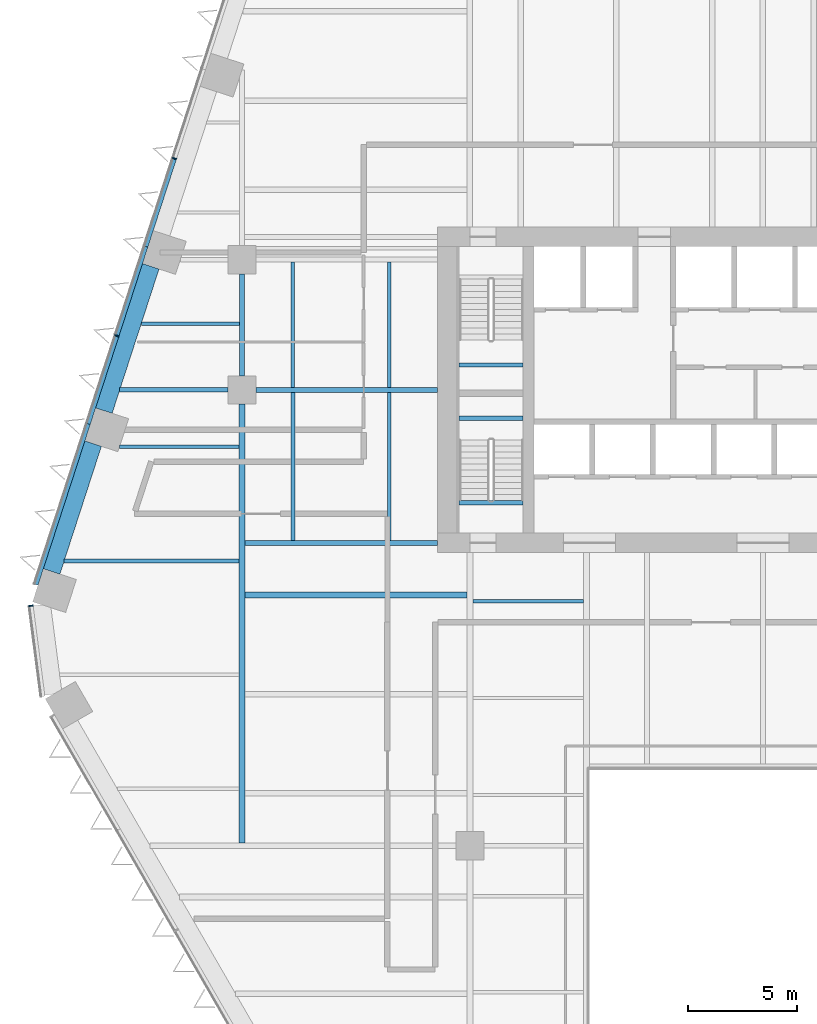
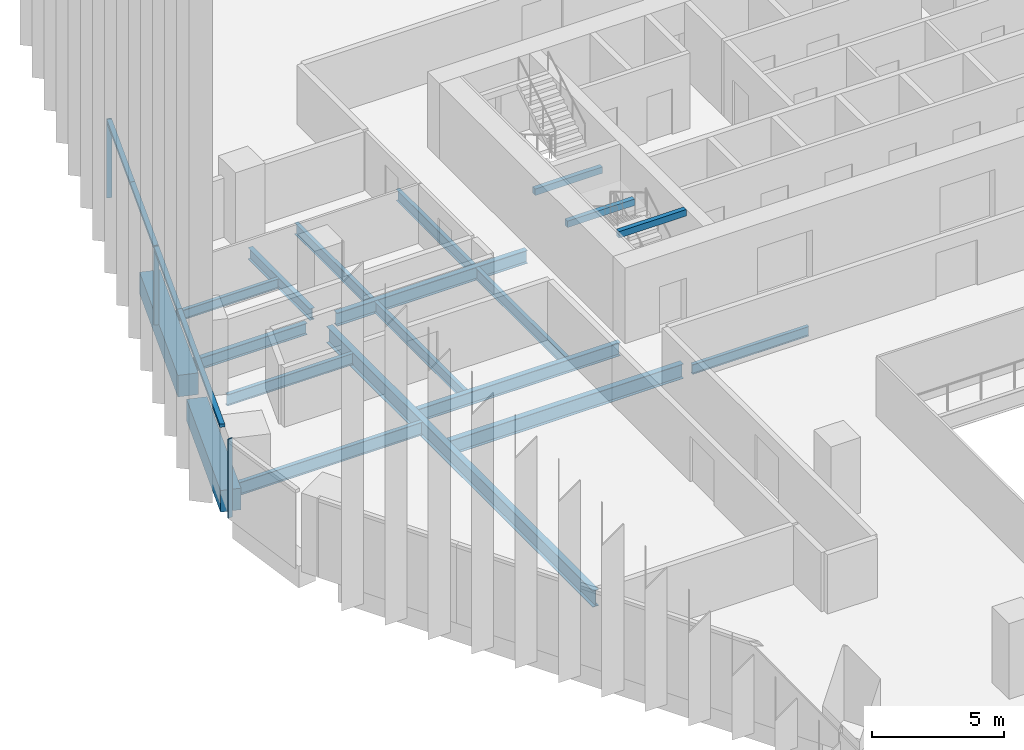
# One storey, part 8 of 24: 19 beams, 7 members, 2 elements without a shape of their own.
"""IFC4 building model written with IfcOpenShell, lengths in metres."""

from ifc_helpers import new_model, si_unit, direction, frame, origin, origin_2d, place, context, subcontext, project, spatial, rectangle, i_section, extrude, material, layer, layer_set, material_profile, profile_set, type_object, element, aggregate, save


model = new_model("IFC4")

# Units and contexts
model_context = context("Model", 3, precision=1e-05, world=origin(), true_north=direction((0.0, 1.0)))
body_context = subcontext(model_context, "Body", "Model", "MODEL_VIEW")
ifc_project = project(units=[si_unit("LENGTHUNIT", "METRE"), si_unit("AREAUNIT", "SQUARE_METRE"), si_unit("VOLUMEUNIT", "CUBIC_METRE"), si_unit("PLANEANGLEUNIT", "RADIAN"), si_unit("MASSUNIT", "GRAM", prefix="KILO")], contexts=[model_context])

# Site, building, storey
site_placement = place(None, origin())
site = spatial("IfcSite", under=ifc_project, at=site_placement, CompositionType="ELEMENT")
building_placement = place(site_placement, origin())
building = spatial("IfcBuilding", under=site, at=building_placement, Name="Isthmus Gate Tower", CompositionType="ELEMENT")
storey_placement = place(building_placement, frame((0.0, 0.0, 80.64990234375)))
storey = spatial("IfcBuildingStorey", under=building, at=storey_placement, Name="L18", CompositionType="ELEMENT", Elevation=80.64990234375)

# Curtain wall, members
ifc_material_1 = material(Name="Aluminium, pale champagne anodised", Category="aluminium")
ifc_layer = layer(ifc_material_1, 0.199951171875)
ifc_layer_set = layer_set([ifc_layer], Name="CW-1 UNITISED CURTAIN WALL 200 DEEP")
curtain_wall_type = type_object("IfcCurtainWallType", Name="CW-1 UNITISED CURTAIN WALL 200 DEEP", PredefinedType="NOTDEFINED", material=ifc_layer_set)
curtain_wall_1_placement = place(storey_placement, origin())
curtain_wall_1 = element("IfcCurtainWall", 1, at=curtain_wall_1_placement, inside=storey, type_object=curtain_wall_type, Name="CW-1 NW L18", PredefinedType="NOTDEFINED")
ifc_material_2 = material(Name="Aluminium, pale champagne anodised", Category="aluminium")
ifc_material_profile_1 = material_profile(ifc_material_2, rectangle(XDim=0.06005859375, YDim=0.199951171875, at=origin_2d()), Name="60x200")
ifc_profile_set_1 = profile_set([ifc_material_profile_1], Name="Aluminium, pale champagne anodised")
member_type_1 = type_object("IfcMemberType", Name="CW-1 MULLION 60 X 200", PredefinedType="MULLION", material=ifc_profile_set_1)
member_1_placement = place(storey_placement, frame((-27.11474609375, 18.163818359375, 0.0), z_axis=(0.0, 0.0, 1.0), x_axis=(-0.309016994375, -0.951056516295, 0.0)))
member_1 = element("IfcMember", 2, at=member_1_placement, type_object=member_type_1, Name="CW-1 mullion", PredefinedType="MULLION", context=body_context, shape_type="SweptSolid", body=[
    extrude(rectangle(XDim=0.06005859375, YDim=0.199951171875, at=origin_2d()), origin(), (0.0, 0.0, 1.0), 3.650146484375),
])
member_2_placement = place(storey_placement, frame((-29.76904296875, 9.994873046875, 0.0), z_axis=(0.0, 0.0, 1.0), x_axis=(-0.309016994375, -0.951056516295, 0.0)))
member_2 = element("IfcMember", 3, at=member_2_placement, type_object=member_type_1, Name="CW-1 mullion", PredefinedType="MULLION", context=body_context, shape_type="SweptSolid", body=[
    extrude(rectangle(XDim=0.06005859375, YDim=0.199951171875, at=origin_2d()), origin(), (0.0, 0.0, 1.0), 3.650146484375),
])

# Curtain wall, member
curtain_wall_2_placement = place(storey_placement, origin())
curtain_wall_2 = element("IfcCurtainWall", 4, at=curtain_wall_2_placement, inside=storey, type_object=curtain_wall_type, Name="CW-1 NW-SW L18", PredefinedType="NOTDEFINED")
member_3_placement = place(storey_placement, frame((-33.722900390625, -2.44482421875, 0.0), z_axis=(0.0, 0.0, 1.0), x_axis=(0.129164534, -0.991623175988, 0.0)))
member_3 = element("IfcMember", 5, at=member_3_placement, type_object=member_type_1, Name="CW-1 mullion", PredefinedType="MULLION", context=body_context, shape_type="SweptSolid", body=[
    extrude(rectangle(XDim=0.06005859375, YDim=0.199951171875, at=origin_2d()), origin(), (0.0, 0.0, 1.0), 3.650146484375),
])
aggregate(curtain_wall_2, [member_3])

# Member
ifc_material_3 = material(Name="Aluminium, pale champagne anodised", Category="aluminium")
ifc_material_profile_2 = material_profile(ifc_material_3, rectangle(XDim=0.199951171875, YDim=0.14990234375, at=origin_2d()), Name="200x150")
ifc_profile_set_2 = profile_set([ifc_material_profile_2], Name="Aluminium, pale champagne anodised")
member_type_2 = type_object("IfcMemberType", Name="CW-1 TRANSOM 200 X 150", PredefinedType="USERDEFINED", material=ifc_profile_set_2)
member_4_placement = place(storey_placement, frame((-27.1240234375, 18.13525390625, 3.5751953125), z_axis=(-0.309023496777, -0.951054403512, 0.0), x_axis=(0.951054403512, -0.309023496777, 0.0)))
member_4 = element("IfcMember", 6, at=member_4_placement, type_object=member_type_2, Name="CW-1 transom", ObjectType="TRANSOM", PredefinedType="USERDEFINED", context=body_context, shape_type="SweptSolid", body=[
    extrude(rectangle(XDim=0.199951171875, YDim=0.14990234375, at=origin_2d()), origin(), (0.0, 0.0, 1.0), 4.234619140625),
])

member_5_placement = place(storey_placement, frame((-28.4326171875, 14.10791015625, 3.5751953125), z_axis=(-0.309021801109, -0.951054954479, 0.0), x_axis=(0.951054954479, -0.309021801109, 0.0)))
member_5 = element("IfcMember", 7, at=member_5_placement, type_object=member_type_2, Name="CW-1 transom", ObjectType="TRANSOM", PredefinedType="USERDEFINED", context=body_context, shape_type="SweptSolid", body=[
    extrude(rectangle(XDim=0.199951171875, YDim=0.14990234375, at=origin_2d()), origin(), (0.0, 0.0, 1.0), 4.294677734375),
])

member_6_placement = place(storey_placement, frame((-29.7783203125, 9.96630859375, 3.5751953125), z_axis=(-0.309023496777, -0.951054403512, 0.0), x_axis=(0.951054403512, -0.309023496777, 0.0)))
member_6 = element("IfcMember", 8, at=member_6_placement, type_object=member_type_2, Name="CW-1 transom", ObjectType="TRANSOM", PredefinedType="USERDEFINED", context=body_context, shape_type="SweptSolid", body=[
    extrude(rectangle(XDim=0.199951171875, YDim=0.14990234375, at=origin_2d()), origin(), (0.0, 0.0, 1.0), 4.234619140625),
])

member_7_placement = place(storey_placement, frame((-31.0869140625, 5.93896484375, 3.5751953125), z_axis=(-0.309015907338, -0.951056869494, 0.0), x_axis=(0.951056869494, -0.309015907338, 0.0)))
member_7 = element("IfcMember", 9, at=member_7_placement, type_object=member_type_2, Name="CW-1 transom", ObjectType="TRANSOM", PredefinedType="USERDEFINED", context=body_context, shape_type="SweptSolid", body=[
    extrude(rectangle(XDim=0.199951171875, YDim=0.14990234375, at=origin_2d()), origin(), (0.0, 0.0, 1.0), 7.789306640625),
])

aggregate(curtain_wall_1, [member_1, member_4, member_5, member_2, member_6, member_7])

# Beams
ifc_material_4 = material(Name="Concrete f'c 70 MPa", Category="concrete")
ifc_material_profile_3 = material_profile(ifc_material_4, rectangle(XDim=0.800048828125, YDim=1.0, at=origin_2d()), Name="RC 800X1000")
ifc_profile_set_3 = profile_set([ifc_material_profile_3], Name="Concrete f'c 70 MPa")
beam_type_1 = type_object("IfcBeamType", Name="RC SPANDREL 800 X 1000", PredefinedType="SPANDREL", material=ifc_profile_set_3)
beam_1_placement = place(storey_placement, frame((-32.771240234375, -0.86279296875, -0.5), z_axis=(0.309012042366, 0.951058125286, 0.0), x_axis=(-0.951058125286, 0.309012042366, 0.0)))
element("IfcBeam", 10, at=beam_1_placement, inside=storey, type_object=beam_type_1, Name="str-spandrel-L18-18", PredefinedType="SPANDREL", context=body_context, shape_type="SweptSolid", body=[
    extrude(rectangle(XDim=0.800048828125, YDim=1.0, at=origin_2d()), origin(), (0.0, 0.0, 1.0), 6.189453125),
])
beam_2_placement = place(storey_placement, frame((-30.3642578125, 6.54541015625, -0.5), z_axis=(0.309029993465, 0.951052292537, 0.0), x_axis=(-0.951052292537, 0.309029993465, 0.0)))
element("IfcBeam", 11, at=beam_2_placement, inside=storey, type_object=beam_type_1, Name="str-spandrel-L18-19", PredefinedType="SPANDREL", context=body_context, shape_type="SweptSolid", body=[
    extrude(rectangle(XDim=0.800048828125, YDim=1.0, at=origin_2d()), origin(), (0.0, 0.0, 1.0), 6.9892578125),
])
ifc_material_5 = material(Name="Concrete f'c 40 MPa", Category="concrete")
ifc_material_profile_4 = material_profile(ifc_material_5, rectangle(XDim=0.199951171875, YDim=0.300048828125, at=origin_2d()), Name="STAIR LANDING BEAM RC 200 X 300")
ifc_profile_set_4 = profile_set([ifc_material_profile_4], Name="Concrete f'c 40 MPa")
beam_type_2 = type_object("IfcBeamType", Name="STAIR LANDING BEAM RC 200 X 300", PredefinedType="BEAM", material=ifc_profile_set_4)
for number, where, z_axis, x_axis, name in (
    (12, (-14.0, 8.64990234375, 1.47509765625), (1.0, 0.0, 0.0), (0.0, 1.0, 0.0), "L18 ST1 landing beam 1"),
    (13, (-14.0, 6.199951171875, 1.47509765625), (1.0, 0.0, 0.0), (0.0, 1.0, 0.0), "L18 ST7 landing beam 1"),
    (14, (-14.0, 2.2998046875, 3.35009765625), (1.0, 0.0, 0.0), (0.0, 1.0, 0.0), "L18 ST7 floor-edge seat beam"),
):
    element("IfcBeam", number, at=place(storey_placement, frame(where, z_axis=z_axis, x_axis=x_axis)), inside=storey, type_object=beam_type_2, Name=name, PredefinedType="BEAM", context=body_context, shape_type="SweptSolid", body=[
        extrude(rectangle(XDim=0.199951171875, YDim=0.300048828125, at=origin_2d()), origin(), (0.0, 0.0, 1.0), 2.949951171875),
    ])
ifc_material_6 = material(Name="Structural steel ASTM A992 Gr 50", Category="steel")
ifc_material_profile_5 = material_profile(ifc_material_6, i_section(OverallWidth=0.15234375, OverallDepth=0.45068359375, WebThickness=0.0078125, FlangeThickness=0.010986328125, at=origin_2d()), Name="W18X35")
ifc_profile_set_5 = profile_set([ifc_material_profile_5], Name="Structural steel ASTM A992 Gr 50")
beam_type_3 = type_object("IfcBeamType", Name="STEEL FLOOR BEAM W18X35", PredefinedType="JOIST", material=ifc_profile_set_5)
beam_3_placement = place(storey_placement, frame((-28.6416015625, 10.552490234375, -0.375244140625), z_axis=(1.0, 0.0, 0.0), x_axis=(0.0, 1.0, 0.0)))
element("IfcBeam", 15, at=beam_3_placement, inside=storey, type_object=beam_type_3, Name="str-beam-L18-01-00", PredefinedType="JOIST", context=body_context, shape_type="SweptSolid", body=[
    extrude(i_section(OverallWidth=0.15234375, OverallDepth=0.45068359375, WebThickness=0.0078125, FlangeThickness=0.010986328125, at=origin_2d()), origin(), (0.0, 0.0, 1.0), 4.536865234375),
])
beam_4_placement = place(storey_placement, frame((-13.3681640625, -2.232421875, -0.375244140625), z_axis=(1.0, 0.0, 0.0), x_axis=(0.0, 1.0, 0.0)))
element("IfcBeam", 16, at=beam_4_placement, inside=storey, type_object=beam_type_3, Name="str-beam-L18-12-02", PredefinedType="JOIST", context=body_context, shape_type="SweptSolid", body=[
    extrude(i_section(OverallWidth=0.15234375, OverallDepth=0.45068359375, WebThickness=0.0078125, FlangeThickness=0.010986328125, at=origin_2d()), origin(), (0.0, 0.0, 1.0), 5.1015625),
])
ifc_material_7 = material(Name="Structural steel ASTM A992 Gr 50", Category="steel")
ifc_material_profile_6 = material_profile(ifc_material_7, i_section(OverallWidth=0.1650390625, OverallDepth=0.52392578125, WebThickness=0.009521484375, FlangeThickness=0.010986328125, at=origin_2d()), Name="W21X44")
ifc_profile_set_6 = profile_set([ifc_material_profile_6], Name="Structural steel ASTM A992 Gr 50")
beam_type_4 = type_object("IfcBeamType", Name="STEEL FLOOR BEAM W21X44", PredefinedType="JOIST", material=ifc_profile_set_6)
beam_5_placement = place(storey_placement, frame((-29.645263671875, 4.875, -0.411865234375), z_axis=(1.0, 0.0, 0.0), x_axis=(0.0, 1.0, 0.0)))
element("IfcBeam", 17, at=beam_5_placement, inside=storey, type_object=beam_type_4, Name="str-beam-L18-00-03", PredefinedType="JOIST", context=body_context, shape_type="SweptSolid", body=[
    extrude(i_section(OverallWidth=0.1650390625, OverallDepth=0.52392578125, WebThickness=0.009521484375, FlangeThickness=0.010986328125, at=origin_2d()), origin(), (0.0, 0.0, 1.0), 5.511962890625),
])
for number, where, z_axis, x_axis, name in (
    (18, (-21.64990234375, 0.564208984375, -0.411865234375), (0.0, 1.0, 0.0), (-1.0, 0.0, 0.0), "str-beam-L18-03-00"),
    (19, (-17.216552734375, 0.564208984375, -0.411865234375), (0.0, 1.0, 0.0), (-1.0, 0.0, 0.0), "str-beam-L18-03-01"),
):
    element("IfcBeam", number, at=place(storey_placement, frame(where, z_axis=z_axis, x_axis=x_axis)), inside=storey, type_object=beam_type_4, Name=name, PredefinedType="JOIST", context=body_context, shape_type="SweptSolid", body=[
        extrude(i_section(OverallWidth=0.1650390625, OverallDepth=0.52392578125, WebThickness=0.009521484375, FlangeThickness=0.010986328125, at=origin_2d()), origin(), (0.0, 0.0, 1.0), 6.821533203125),
    ])
for number, where, z_axis, x_axis, name in (
    (20, (-21.67138671875, 7.6142578125, -0.411865234375), (0.0, 1.0, 0.0), (-1.0, 0.0, 0.0), "str-beam-L18-04-00"),
    (21, (-17.223876953125, 7.6142578125, -0.411865234375), (0.0, 1.0, 0.0), (-1.0, 0.0, 0.0), "str-beam-L18-04-01"),
):
    element("IfcBeam", number, at=place(storey_placement, frame(where, z_axis=z_axis, x_axis=x_axis)), inside=storey, type_object=beam_type_4, Name=name, PredefinedType="JOIST", context=body_context, shape_type="SweptSolid", body=[
        extrude(i_section(OverallWidth=0.1650390625, OverallDepth=0.52392578125, WebThickness=0.009521484375, FlangeThickness=0.010986328125, at=origin_2d()), origin(), (0.0, 0.0, 1.0), 5.771484375),
    ])
ifc_material_8 = material(Name="Structural steel ASTM A992 Gr 50", Category="steel")
ifc_material_profile_7 = material_profile(ifc_material_8, i_section(OverallWidth=0.177734375, OverallDepth=0.60009765625, WebThickness=0.009521484375, FlangeThickness=0.0126953125, at=origin_2d()), Name="W24X55")
ifc_profile_set_7 = profile_set([ifc_material_profile_7], Name="Structural steel ASTM A992 Gr 50")
beam_type_5 = type_object("IfcBeamType", Name="STEEL FLOOR BEAM W24X55", PredefinedType="JOIST", material=ifc_profile_set_7)
beam_6_placement = place(storey_placement, frame((-32.192138671875, -0.375, -0.449951171875), z_axis=(1.0, 0.0, 0.0), x_axis=(0.0, 1.0, 0.0)))
element("IfcBeam", 22, at=beam_6_placement, inside=storey, type_object=beam_type_5, Name="str-beam-L18-00-02", PredefinedType="JOIST", context=body_context, shape_type="SweptSolid", body=[
    extrude(i_section(OverallWidth=0.177734375, OverallDepth=0.60009765625, WebThickness=0.009521484375, FlangeThickness=0.0126953125, at=origin_2d()), origin(), (0.0, 0.0, 1.0), 8.058837890625),
])
ifc_material_9 = material(Name="Structural steel ASTM A992 Gr 50", Category="steel")
ifc_material_profile_8 = material_profile(ifc_material_9, i_section(OverallWidth=0.25390625, OverallDepth=0.679443359375, WebThickness=0.010986328125, FlangeThickness=0.015869140625, at=origin_2d()), Name="W27X84")
ifc_profile_set_8 = profile_set([ifc_material_profile_8], Name="Structural steel ASTM A992 Gr 50")
beam_type_6 = type_object("IfcBeamType", Name="STEEL FLOOR BEAM W27X84", PredefinedType="JOIST", material=ifc_profile_set_8)
beam_7_placement = place(storey_placement, frame((-23.86669921875, -1.947998046875, -0.489501953125), z_axis=(1.0, 0.0, 0.0), x_axis=(0.0, 1.0, 0.0)))
element("IfcBeam", 23, at=beam_7_placement, inside=storey, type_object=beam_type_6, Name="str-beam-L18-08-02", PredefinedType="JOIST", context=body_context, shape_type="SweptSolid", body=[
    extrude(i_section(OverallWidth=0.25390625, OverallDepth=0.679443359375, WebThickness=0.010986328125, FlangeThickness=0.015869140625, at=origin_2d()), origin(), (0.0, 0.0, 1.0), 10.23486328125),
])
ifc_material_10 = material(Name="Structural steel ASTM A992 Gr 50", Category="steel")
ifc_material_profile_9 = material_profile(ifc_material_10, i_section(OverallWidth=0.20947265625, OverallDepth=0.533447265625, WebThickness=0.009521484375, FlangeThickness=0.015869140625, at=origin_2d()), Name="W21X62")
ifc_profile_set_9 = profile_set([ifc_material_profile_9], Name="Structural steel ASTM A992 Gr 50")
beam_type_7 = type_object("IfcBeamType", Name="STEEL GIRDER W21X62", PredefinedType="BEAM", material=ifc_profile_set_9)
beam_8_placement = place(storey_placement, frame((-29.633544921875, 7.5, -0.41650390625), z_axis=(1.0, 0.0, 0.0), x_axis=(0.0, 1.0, 0.0)))
element("IfcBeam", 24, at=beam_8_placement, inside=storey, type_object=beam_type_7, Name="str-girder-L18-09", PredefinedType="BEAM", context=body_context, shape_type="SweptSolid", body=[
    extrude(i_section(OverallWidth=0.20947265625, OverallDepth=0.533447265625, WebThickness=0.009521484375, FlangeThickness=0.015869140625, at=origin_2d()), origin(), (0.0, 0.0, 1.0), 4.983642578125),
])
beam_9_placement = place(storey_placement, frame((-24.0, 8.14990234375, -0.41650390625), z_axis=(0.0, 1.0, 0.0), x_axis=(-1.0, 0.0, 0.0)))
element("IfcBeam", 25, at=beam_9_placement, inside=storey, type_object=beam_type_7, Name="str-girder-L18-22", PredefinedType="BEAM", context=body_context, shape_type="SweptSolid", body=[
    extrude(i_section(OverallWidth=0.20947265625, OverallDepth=0.533447265625, WebThickness=0.009521484375, FlangeThickness=0.015869140625, at=origin_2d()), origin(), (0.0, 0.0, 1.0), 4.7001953125),
])
ifc_material_11 = material(Name="Structural steel ASTM A992 Gr 50", Category="steel")
ifc_material_profile_10 = material_profile(ifc_material_11, i_section(OverallWidth=0.228515625, OverallDepth=0.6064453125, WebThickness=0.010986328125, FlangeThickness=0.017578125, at=origin_2d()), Name="W24X76")
ifc_profile_set_10 = profile_set([ifc_material_profile_10], Name="Structural steel ASTM A992 Gr 50")
beam_type_8 = type_object("IfcBeamType", Name="STEEL GIRDER W24X76", PredefinedType="BEAM", material=ifc_profile_set_10)
beam_10_placement = place(storey_placement, frame((-23.35009765625, 7.5, -0.453125), z_axis=(1.0, 0.0, 0.0), x_axis=(0.0, 1.0, 0.0)))
element("IfcBeam", 26, at=beam_10_placement, inside=storey, type_object=beam_type_8, Name="str-girder-L18-10", PredefinedType="BEAM", context=body_context, shape_type="SweptSolid", body=[
    extrude(i_section(OverallWidth=0.228515625, OverallDepth=0.6064453125, WebThickness=0.010986328125, FlangeThickness=0.017578125, at=origin_2d()), origin(), (0.0, 0.0, 1.0), 8.35009765625),
])
beam_11_placement = place(storey_placement, frame((-15.0, 0.449951171875, -0.453125), z_axis=(-1.0, 0.0, 0.0), x_axis=(0.0, -1.0, 0.0)))
element("IfcBeam", 27, at=beam_11_placement, inside=storey, type_object=beam_type_8, Name="str-girder-L18-39", PredefinedType="BEAM", context=body_context, shape_type="SweptSolid", body=[
    extrude(i_section(OverallWidth=0.228515625, OverallDepth=0.6064453125, WebThickness=0.010986328125, FlangeThickness=0.017578125, at=origin_2d()), origin(), (0.0, 0.0, 1.0), 8.86669921875),
])
ifc_material_12 = material(Name="Structural steel ASTM A992 Gr 50", Category="steel")
ifc_material_profile_11 = material_profile(ifc_material_12, i_section(OverallWidth=0.2666015625, OverallDepth=0.7587890625, WebThickness=0.014404296875, FlangeThickness=0.01904296875, at=origin_2d()), Name="W30X108")
ifc_profile_set_11 = profile_set([ifc_material_profile_11], Name="Structural steel ASTM A992 Gr 50")
beam_type_9 = type_object("IfcBeamType", Name="STEEL GIRDER W30X108", PredefinedType="BEAM", material=ifc_profile_set_11)
beam_12_placement = place(storey_placement, frame((-24.0, -13.36669921875, -0.529296875), z_axis=(0.0, 1.0, 0.0), x_axis=(-1.0, 0.0, 0.0)))
element("IfcBeam", 28, at=beam_12_placement, inside=storey, type_object=beam_type_9, Name="str-girder-L18-21", PredefinedType="BEAM", context=body_context, shape_type="SweptSolid", body=[
    extrude(i_section(OverallWidth=0.2666015625, OverallDepth=0.7587890625, WebThickness=0.014404296875, FlangeThickness=0.01904296875, at=origin_2d()), origin(), (0.0, 0.0, 1.0), 20.216796875),
])

save(model, "model.ifc")
